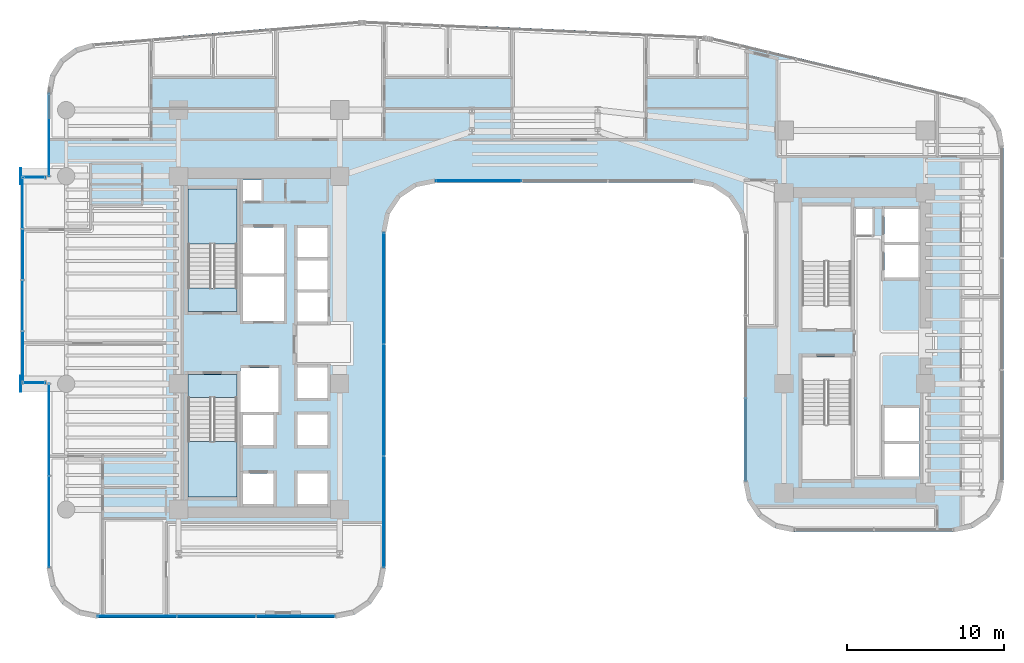
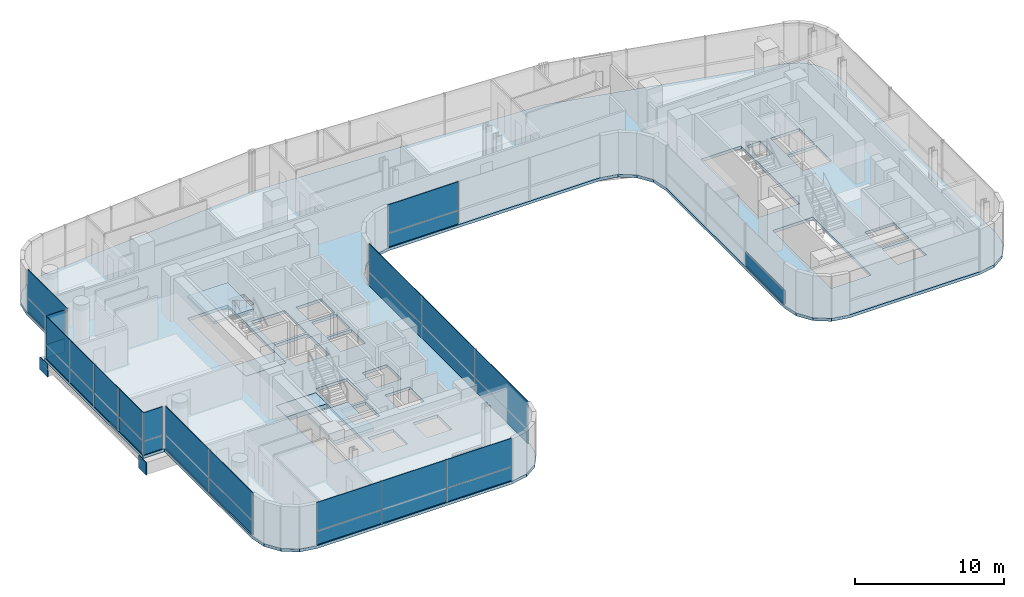
# One storey, part 24 of 35: 30 plates, 5 slabs, 11 elements without a shape of their own.
"""IFC4 building model written with IfcOpenShell, lengths in metres."""

from ifc_helpers import new_model, si_unit, direction, frame, origin, origin_2d, place, context, subcontext, project, spatial, polyline, rectangle, outline, extrude, source, transform, mapped, material, layer, layer_set, type_object, element, aggregate, save


model = new_model("IFC4")

# Units and contexts
model_context = context("Model", 3, precision=1e-05, world=origin(), true_north=direction((0.0, 1.0)))
body_context = subcontext(model_context, "Body", "Model", "MODEL_VIEW")
ifc_project = project(units=[si_unit("LENGTHUNIT", "METRE"), si_unit("AREAUNIT", "SQUARE_METRE"), si_unit("VOLUMEUNIT", "CUBIC_METRE"), si_unit("PLANEANGLEUNIT", "RADIAN"), si_unit("MASSUNIT", "GRAM", prefix="KILO")], contexts=[model_context])

# Site, building, storey
site_placement = place(None, origin())
site = spatial("IfcSite", under=ifc_project, at=site_placement, CompositionType="ELEMENT")
building_placement = place(site_placement, origin())
building = spatial("IfcBuilding", under=site, at=building_placement, Name="Valdorenza Pilgrim Sanctuary Tower", CompositionType="ELEMENT")
storey_placement = place(building_placement, frame((0.0, 0.0, 105.699951171875)))
storey = spatial("IfcBuildingStorey", under=building, at=storey_placement, Name="L26", CompositionType="ELEMENT", Elevation=105.699951171875)

# Slab
ifc_material_1 = material(Name="Concrete C40/50", Category="concrete")
ifc_layer_1 = layer(ifc_material_1, 0.239990234375, Name="Concrete C40/50")
ifc_layer_set_1 = layer_set([ifc_layer_1], Name="Concrete C40/50")
slab_type_1 = type_object("IfcSlabType", Name="SLAB-FLR-220", PredefinedType="FLOOR", material=ifc_layer_set_1)
slab_1_placement = place(storey_placement, frame((0.0, 0.0, -0.239990234375)))
element("IfcSlab", 1, at=slab_1_placement, inside=storey, type_object=slab_type_1, Name="L26 Structural Floor Slab 1", PredefinedType="FLOOR", context=body_context, shape_type="SweptSolid", body=[
    extrude(outline(polyline([(-30.78173828125, 17.022216796875), (-30.156494140625, 18.025390625), (-29.2099609375, 18.733154296875), (-28.071044921875, 19.049072265625), (-11.2080078125, 20.482421875), (-11.10400390625, 20.489501953125), (-10.895751953125, 20.49365234375), (10.6962890625, 19.513916015625), (10.847412109375, 19.50341796875), (10.998046875, 19.485595703125), (11.147705078125, 19.4609375), (11.2958984375, 19.42919921875), (27.344970703125, 15.587646484375), (28.323974609375, 15.17138671875), (29.1123046875, 14.45751953125), (29.623291015625, 13.5244140625), (29.800048828125, 12.4755859375), (29.800048828125, -8.800048828125), (29.556396484375, -10.024658203125), (28.86279296875, -11.062744140625), (27.82470703125, -11.75634765625), (26.60009765625, -12.0), (16.5, -12.0), (15.275390625, -11.75634765625), (14.2373046875, -11.062744140625), (13.543701171875, -10.024658203125), (13.300048828125, -8.800048828125), (13.300048828125, 7.0), (13.056396484375, 8.224609375), (12.36279296875, 9.2626953125), (11.32470703125, 9.956298828125), (10.10009765625, 10.199951171875), (-6.300048828125, 10.199951171875), (-7.524658203125, 9.956298828125), (-8.562744140625, 9.2626953125), (-9.25634765625, 8.224609375), (-9.5, 7.0), (-9.5, -14.300048828125), (-9.74365234375, -15.524658203125), (-10.437255859375, -16.562744140625), (-11.475341796875, -17.25634765625), (-12.699951171875, -17.5), (-27.800048828125, -17.5), (-29.024658203125, -17.25634765625), (-30.062744140625, -16.562744140625), (-30.75634765625, -15.524658203125), (-31.0, -14.300048828125), (-31.0, -2.60009765625), (-32.64990234375, -2.60009765625), (-32.64990234375, 10.60009765625), (-31.0, 10.60009765625), (-31.0, 15.860595703125), (-30.78173828125, 17.022216796875)]), holes=[polyline([(-16.60009765625, -10.25), (-16.60009765625, -8.300048828125), (-18.550048828125, -8.300048828125), (-18.550048828125, -10.25), (-16.60009765625, -10.25)]), polyline([(-22.050048828125, -9.800048828125), (-18.93994140625, -9.800048828125), (-18.93994140625, -3.485107421875), (-18.93994140625, -2.0), (-22.050048828125, -2.0), (-22.050048828125, -3.485107421875), (-22.050048828125, -9.800048828125)]), polyline([(-18.550048828125, -6.5), (-16.60009765625, -6.5), (-16.60009765625, -4.60009765625), (-18.550048828125, -4.60009765625), (-18.550048828125, -6.5)]), polyline([(-13.179931640625, -6.5), (-13.179931640625, -4.550048828125), (-15.10009765625, -4.550048828125), (-15.10009765625, -6.5), (-13.179931640625, -6.5)]), polyline([(-18.719970703125, -4.39990234375), (-16.300048828125, -4.39990234375), (-16.300048828125, -1.60009765625), (-18.719970703125, -1.60009765625), (-18.719970703125, -4.39990234375)]), polyline([(-13.179931640625, -3.5), (-13.179931640625, -1.550048828125), (-15.10009765625, -1.550048828125), (-15.10009765625, -3.5), (-13.179931640625, -3.5)]), polyline([(-22.050048828125, 2.0), (-18.93994140625, 2.0), (-18.93994140625, 3.485107421875), (-18.93994140625, 9.800048828125), (-22.050048828125, 9.800048828125), (-22.050048828125, 3.485107421875), (-22.050048828125, 2.0)]), polyline([(-18.550048828125, 1.39990234375), (-15.949951171875, 1.39990234375), (-15.949951171875, 4.22509765625), (-18.550048828125, 4.22509765625), (-18.550048828125, 1.39990234375)]), polyline([(-15.949951171875, 4.425048828125), (-15.949951171875, 7.35009765625), (-18.550048828125, 7.35009765625), (-18.550048828125, 4.425048828125), (-15.949951171875, 4.425048828125)]), polyline([(-15.10009765625, 5.449951171875), (-13.179931640625, 5.449951171875), (-13.179931640625, 7.300048828125), (-15.10009765625, 7.300048828125), (-15.10009765625, 5.449951171875)]), polyline([(-17.360107421875, 9.030029296875), (-17.360107421875, 10.35009765625), (-18.570068359375, 10.35009765625), (-18.570068359375, 9.030029296875), (-17.360107421875, 9.030029296875)]), polyline([(-15.10009765625, -10.25), (-13.179931640625, -10.25), (-13.179931640625, -8.300048828125), (-15.10009765625, -8.300048828125), (-15.10009765625, -10.25)]), polyline([(22.25, -8.5), (24.47998046875, -8.5), (24.47998046875, -6.425048828125), (22.25, -6.425048828125), (22.25, -8.5)]), polyline([(17.0, -2.385009765625), (17.0, -8.699951171875), (20.110107421875, -8.699951171875), (20.110107421875, -2.385009765625), (20.110107421875, -0.89990234375), (17.0, -0.89990234375), (17.0, -2.385009765625)]), polyline([(22.25, -6.22509765625), (24.47998046875, -6.22509765625), (24.47998046875, -4.14990234375), (22.25, -4.14990234375), (22.25, -6.22509765625)]), polyline([(17.0, 0.89990234375), (20.110107421875, 0.89990234375), (20.110107421875, 2.385009765625), (20.110107421875, 8.699951171875), (17.0, 8.699951171875), (17.0, 2.385009765625), (17.0, 0.89990234375)]), polyline([(-15.10009765625, 1.35009765625), (-13.179931640625, 1.35009765625), (-13.179931640625, 3.199951171875), (-15.10009765625, 3.199951171875), (-15.10009765625, 1.35009765625)]), polyline([(-15.10009765625, 3.39990234375), (-13.179931640625, 3.39990234375), (-13.179931640625, 5.25), (-15.10009765625, 5.25), (-15.10009765625, 3.39990234375)]), polyline([(22.25, 4.14990234375), (24.47998046875, 4.14990234375), (24.47998046875, 6.22509765625), (22.25, 6.22509765625), (22.25, 4.14990234375)]), polyline([(22.25, 6.425048828125), (24.47998046875, 6.425048828125), (24.47998046875, 8.5), (22.25, 8.5), (22.25, 6.425048828125)]), polyline([(20.409912109375, 6.860107421875), (21.489990234375, 6.860107421875), (21.489990234375, 8.52001953125), (20.409912109375, 8.52001953125), (20.409912109375, 6.860107421875)])]), origin(), (0.0, 0.0, 1.0), 0.239990234375),
])

# Stair, slab
stair_type = type_object("IfcStairType", Name="STR-DOG-CORE", PredefinedType="HALF_TURN_STAIR", material=ifc_material_1)
stair_1_placement = place(storey_placement, origin())
stair_1 = element("IfcStair", 2, at=stair_1_placement, inside=storey, type_object=stair_type, Name="L26 ST-A1", PredefinedType="HALF_TURN_STAIR")
ifc_layer_2 = layer(ifc_material_1, 0.199951171875, Name="Concrete C40/50")
ifc_layer_set_2 = layer_set([ifc_layer_2], Name="Concrete C40/50")
slab_type_2 = type_object("IfcSlabType", Name="SLAB-STL-200", PredefinedType="LANDING", material=ifc_layer_set_2)
slab_2_placement = place(storey_placement, frame((0.0, 0.0, 1.650146484375)))
slab_2 = element("IfcSlab", 3, at=slab_2_placement, type_object=slab_type_2, Name="ST-A1 landing 1", PredefinedType="LANDING", context=body_context, shape_type="SweptSolid", body=[
    extrude(outline(polyline([(-18.93994140625, 6.280029296875), (-18.93994140625, 9.800048828125), (-22.050048828125, 9.800048828125), (-22.050048828125, 6.280029296875), (-18.93994140625, 6.280029296875)])), origin(), (0.0, 0.0, 1.0), 0.199951171875),
])
aggregate(stair_1, [slab_2])

stair_2_placement = place(storey_placement, origin())
stair_2 = element("IfcStair", 4, at=stair_2_placement, inside=storey, type_object=stair_type, Name="L26 ST-A2", PredefinedType="HALF_TURN_STAIR")
slab_3_placement = place(storey_placement, frame((0.0, 0.0, 1.650146484375)))
slab_3 = element("IfcSlab", 5, at=slab_3_placement, type_object=slab_type_2, Name="ST-A2 landing 1", PredefinedType="LANDING", context=body_context, shape_type="SweptSolid", body=[
    extrude(outline(polyline([(-22.050048828125, -6.280029296875), (-22.050048828125, -9.800048828125), (-18.93994140625, -9.800048828125), (-18.93994140625, -6.280029296875), (-22.050048828125, -6.280029296875)])), origin(), (0.0, 0.0, 1.0), 0.199951171875),
])
aggregate(stair_2, [slab_3])

# Slabs
ifc_material_2 = material(Name="Concrete C50/60", Category="concrete")
ifc_layer_3 = layer(ifc_material_2, 0.39990234375, Name="Concrete C50/60")
ifc_layer_set_3 = layer_set([ifc_layer_3], Name="Concrete C50/60")
slab_type_3 = type_object("IfcSlabType", Name="SLAB-TRF-400", PredefinedType="FLOOR", material=ifc_layer_set_3)
slab_4_placement = place(storey_placement, frame((0.0, 0.0, -0.35986328125)))
element("IfcSlab", 6, at=slab_4_placement, inside=storey, type_object=slab_type_3, Name="L26 ST-A1 Structural Stair Landing Bearing Slab", PredefinedType="FLOOR", context=body_context, shape_type="SweptSolid", body=[
    extrude(outline(polyline([(-22.050048828125, 2.0), (-18.93994140625, 2.0), (-18.93994140625, 3.485107421875), (-22.050048828125, 3.485107421875), (-22.050048828125, 2.0)])), origin(), (0.0, 0.0, 1.0), 0.35986328125),
])
slab_5_placement = place(storey_placement, frame((0.0, 0.0, -0.35986328125)))
element("IfcSlab", 7, at=slab_5_placement, inside=storey, type_object=slab_type_3, Name="L26 ST-A2 Structural Stair Landing Bearing Slab", PredefinedType="FLOOR", context=body_context, shape_type="SweptSolid", body=[
    extrude(outline(polyline([(-22.050048828125, -3.485107421875), (-18.93994140625, -3.485107421875), (-18.93994140625, -2.0), (-22.050048828125, -2.0), (-22.050048828125, -3.485107421875)])), origin(), (0.0, 0.0, 1.0), 0.35986328125),
])

# Plates
ifc_material_3 = material(Name="Steel ASTM A572 Grade 42", Category="steel")
ifc_layer_4 = layer(ifc_material_3, 0.06005859375, Name="Steel ASTM A572 Grade 42")
ifc_layer_set_4 = layer_set([ifc_layer_4], Name="Steel ASTM A572 Grade 42")
plate_type_1 = type_object("IfcPlateType", Name="PLT-CAP-60", PredefinedType="SHEET", material=ifc_layer_set_4)
shared_shape_1 = source(origin(), body_context, "Body", "SweptSolid", [
    extrude(rectangle(XDim=0.06005859375, YDim=1.0400390625, at=origin_2d()), origin(), (0.0, 0.0, 1.0), 1.0400390625),
])
for number, where, z_axis, x_axis, name in (
    (8, (-32.679931640625, 10.60009765625, -1.260009765625), (0.0, 0.0, 1.0), (1.0, 0.0, 0.0), "L26 BOX-WA-L26 Cantilever Tip End Cap N"),
    (9, (-32.679931640625, -2.60009765625, -1.260009765625), (0.0, 0.0, 1.0), (1.0, 0.0, 0.0), "L26 BOX-WA-L26 Cantilever Tip End Cap S"),
):
    element("IfcPlate", number, at=place(storey_placement, frame(where, z_axis=z_axis, x_axis=x_axis)), inside=storey, type_object=plate_type_1, Name=name, PredefinedType="SHEET", context=body_context, shape_type="MappedRepresentation", body=[
        mapped(shared_shape_1, transform((0.0, 0.0, 0.0), x_axis=(1.0, 0.0, 0.0), y_axis=(0.0, 1.0, 0.0), z_axis=(0.0, 0.0, 1.0), scale=1.0)),
    ])

# Curtain wall, plates
ifc_material_4 = material(Name="Curtain-wall IGU glazing", Category="glass")
curtain_wall_type_1 = type_object("IfcCurtainWallType", Name="CW-SYS-02", PredefinedType="NOTDEFINED", material=ifc_material_4)
curtain_wall_1_placement = place(storey_placement, origin())
curtain_wall_1 = element("IfcCurtainWall", 10, at=curtain_wall_1_placement, inside=storey, type_object=curtain_wall_type_1, Name="L26 Curtain Wall CW-L26-1-36", PredefinedType="NOTDEFINED")
ifc_material_5 = material(Name="Honed travertine limestone", Category="masonry")
ifc_layer_5 = layer(ifc_material_5, 0.050048828125, Name="Honed travertine limestone")
ifc_layer_set_5 = layer_set([ifc_layer_5], Name="Honed travertine limestone")
plate_type_2 = type_object("IfcPlateType", Name="CW-SPN-TRV", PredefinedType="USERDEFINED", material=ifc_layer_set_5)
shared_shape_2 = source(origin(), body_context, "Body", "SweptSolid", [
    extrude(rectangle(XDim=5.453857421875, YDim=0.06005859375, at=origin_2d()), origin(), (0.0, 0.0, 1.0), 1.10009765625),
])
plate_1_placement = place(storey_placement, frame((-3.573974609375, 10.31005859375, 0.010009765625), z_axis=(0.0, 0.0, 1.0), x_axis=(-1.0, 0.0, 0.0)))
plate_1 = element("IfcPlate", 11, at=plate_1_placement, type_object=plate_type_2, Name="CW-L26-1-36 Travertine Spandrel 3", ObjectType="SPANDREL", PredefinedType="USERDEFINED", context=body_context, shape_type="MappedRepresentation", body=[
    mapped(shared_shape_2, transform((0.0, 0.0, 0.0), x_axis=(1.0, 0.0, 0.0), y_axis=(0.0, 1.0, 0.0), z_axis=(0.0, 0.0, 1.0), scale=1.0)),
])
ifc_material_6 = material(Name="Ceramic-fritted low-E IGU glazing", Category="glass")
ifc_layer_6 = layer(ifc_material_6, 0.035888671875, Name="Ceramic-fritted low-E IGU glazing")
ifc_layer_set_6 = layer_set([ifc_layer_6], Name="Ceramic-fritted low-E IGU glazing")
plate_type_3 = type_object("IfcPlateType", Name="CW-GLZ-IGU", PredefinedType="USERDEFINED", material=ifc_layer_set_6)
shared_shape_3 = source(origin(), body_context, "Body", "SweptSolid", [
    extrude(rectangle(XDim=5.453857421875, YDim=0.050048828125, at=origin_2d()), origin(), (0.0, 0.0, 1.0), 2.320068359375),
])
plate_2_placement = place(storey_placement, frame((-3.573974609375, 10.31005859375, 1.1298828125), z_axis=(0.0, 0.0, 1.0), x_axis=(-1.0, 0.0, 0.0)))
plate_2 = element("IfcPlate", 12, at=plate_2_placement, type_object=plate_type_3, Name="CW-L26-1-36 Facade Panel 3", ObjectType="GLAZING", PredefinedType="USERDEFINED", context=body_context, shape_type="MappedRepresentation", body=[
    mapped(shared_shape_3, transform((0.0, 0.0, 0.0), x_axis=(1.0, 0.0, 0.0), y_axis=(0.0, 1.0, 0.0), z_axis=(0.0, 0.0, 1.0), scale=1.0)),
])
aggregate(curtain_wall_1, [plate_1, plate_2])

# Curtain wall, plate
curtain_wall_2_placement = place(storey_placement, origin())
curtain_wall_2 = element("IfcCurtainWall", 13, at=curtain_wall_2_placement, inside=storey, type_object=curtain_wall_type_1, Name="L26 Curtain Wall CW-L26-BOX-WA-L26-S", PredefinedType="NOTDEFINED")
shared_shape_4 = source(origin(), body_context, "Body", "SweptSolid", [
    extrude(rectangle(XDim=1.43994140625, YDim=0.06005859375, at=origin_2d()), origin(), (0.0, 0.0, 1.0), 1.10009765625),
])
plate_3_placement = place(storey_placement, frame((-31.840087890625, -2.52001953125, 0.010009765625), z_axis=(0.0, 0.0, 1.0), x_axis=(-1.0, 0.0, 0.0)))
plate_3 = element("IfcPlate", 14, at=plate_3_placement, type_object=plate_type_2, Name="CW-L26-BOX-WA-L26-S Travertine Spandrel 1", ObjectType="SPANDREL", PredefinedType="USERDEFINED", context=body_context, shape_type="MappedRepresentation", body=[
    mapped(shared_shape_4, transform((0.0, 0.0, 0.0), x_axis=(1.0, 0.0, 0.0), y_axis=(0.0, 1.0, 0.0), z_axis=(0.0, 0.0, 1.0), scale=1.0)),
])

curtain_wall_3_placement = place(storey_placement, origin())
curtain_wall_3 = element("IfcCurtainWall", 15, at=curtain_wall_3_placement, inside=storey, type_object=curtain_wall_type_1, Name="L26 Curtain Wall CW-L26-BOX-WA-L26-N", PredefinedType="NOTDEFINED")
plate_4_placement = place(storey_placement, frame((-31.840087890625, 10.52001953125, 0.010009765625), z_axis=(0.0, 0.0, 1.0), x_axis=(1.0, 0.0, 0.0)))
plate_4 = element("IfcPlate", 16, at=plate_4_placement, type_object=plate_type_2, Name="CW-L26-BOX-WA-L26-N Travertine Spandrel 1", ObjectType="SPANDREL", PredefinedType="USERDEFINED", context=body_context, shape_type="MappedRepresentation", body=[
    mapped(shared_shape_4, transform((0.0, 0.0, 0.0), x_axis=(1.0, 0.0, 0.0), y_axis=(0.0, 1.0, 0.0), z_axis=(0.0, 0.0, 1.0), scale=1.0)),
])

# Plate
shared_shape_5 = source(origin(), body_context, "Body", "SweptSolid", [
    extrude(rectangle(XDim=1.43994140625, YDim=0.050048828125, at=origin_2d()), origin(), (0.0, 0.0, 1.0), 2.320068359375),
])
plate_5_placement = place(storey_placement, frame((-31.840087890625, -2.52001953125, 1.1298828125), z_axis=(0.0, 0.0, 1.0), x_axis=(-1.0, 0.0, 0.0)))
plate_5 = element("IfcPlate", 17, at=plate_5_placement, type_object=plate_type_3, Name="CW-L26-BOX-WA-L26-S Facade Panel 1", ObjectType="GLAZING", PredefinedType="USERDEFINED", context=body_context, shape_type="MappedRepresentation", body=[
    mapped(shared_shape_5, transform((0.0, 0.0, 0.0), x_axis=(1.0, 0.0, 0.0), y_axis=(0.0, 1.0, 0.0), z_axis=(0.0, 0.0, 1.0), scale=1.0)),
])

aggregate(curtain_wall_2, [plate_3, plate_5])

plate_6_placement = place(storey_placement, frame((-31.840087890625, 10.52001953125, 1.1298828125), z_axis=(0.0, 0.0, 1.0), x_axis=(1.0, 0.0, 0.0)))
plate_6 = element("IfcPlate", 18, at=plate_6_placement, type_object=plate_type_3, Name="CW-L26-BOX-WA-L26-N Facade Panel 1", ObjectType="GLAZING", PredefinedType="USERDEFINED", context=body_context, shape_type="MappedRepresentation", body=[
    mapped(shared_shape_5, transform((0.0, 0.0, 0.0), x_axis=(1.0, 0.0, 0.0), y_axis=(0.0, 1.0, 0.0), z_axis=(0.0, 0.0, 1.0), scale=1.0)),
])

aggregate(curtain_wall_3, [plate_4, plate_6])

# Curtain wall, plates
curtain_wall_4_placement = place(storey_placement, origin())
curtain_wall_4 = element("IfcCurtainWall", 19, at=curtain_wall_4_placement, inside=storey, type_object=curtain_wall_type_1, Name="L26 Curtain Wall CW-L26-BOX-WA-L26-F", PredefinedType="NOTDEFINED")
shared_shape_6 = source(origin(), body_context, "Body", "SweptSolid", [
    extrude(rectangle(XDim=3.239990234375, YDim=0.06005859375, at=origin_2d()), origin(), (0.0, 0.0, 1.0), 1.10009765625),
])
plate_7_placement = place(storey_placement, frame((-32.570068359375, -0.889892578125, 0.010009765625), z_axis=(0.0, 0.0, 1.0), x_axis=(0.0, 1.0, 0.0)))
plate_7 = element("IfcPlate", 20, at=plate_7_placement, type_object=plate_type_2, Name="CW-L26-BOX-WA-L26-F Travertine Spandrel 1", ObjectType="SPANDREL", PredefinedType="USERDEFINED", context=body_context, shape_type="MappedRepresentation", body=[
    mapped(shared_shape_6, transform((0.0, 0.0, 0.0), x_axis=(1.0, 0.0, 0.0), y_axis=(0.0, 1.0, 0.0), z_axis=(0.0, 0.0, 1.0), scale=1.0)),
])
plate_8_placement = place(storey_placement, frame((-32.570068359375, 5.6298828125, 0.010009765625), z_axis=(0.0, 0.0, 1.0), x_axis=(0.0, 1.0, 0.0)))
plate_8 = element("IfcPlate", 21, at=plate_8_placement, type_object=plate_type_2, Name="CW-L26-BOX-WA-L26-F Travertine Spandrel 3", ObjectType="SPANDREL", PredefinedType="USERDEFINED", context=body_context, shape_type="MappedRepresentation", body=[
    mapped(shared_shape_6, transform((0.0, 0.0, 0.0), x_axis=(1.0, 0.0, 0.0), y_axis=(0.0, 1.0, 0.0), z_axis=(0.0, 0.0, 1.0), scale=1.0)),
])
shared_shape_7 = source(origin(), body_context, "Body", "SweptSolid", [
    extrude(rectangle(XDim=3.239990234375, YDim=0.050048828125, at=origin_2d()), origin(), (0.0, 0.0, 1.0), 2.320068359375),
])
plate_9_placement = place(storey_placement, frame((-32.570068359375, -0.889892578125, 1.1298828125), z_axis=(0.0, 0.0, 1.0), x_axis=(0.0, 1.0, 0.0)))
plate_9 = element("IfcPlate", 22, at=plate_9_placement, type_object=plate_type_3, Name="CW-L26-BOX-WA-L26-F Facade Panel 1", ObjectType="GLAZING", PredefinedType="USERDEFINED", context=body_context, shape_type="MappedRepresentation", body=[
    mapped(shared_shape_7, transform((0.0, 0.0, 0.0), x_axis=(1.0, 0.0, 0.0), y_axis=(0.0, 1.0, 0.0), z_axis=(0.0, 0.0, 1.0), scale=1.0)),
])
plate_10_placement = place(storey_placement, frame((-32.570068359375, 5.6298828125, 1.1298828125), z_axis=(0.0, 0.0, 1.0), x_axis=(0.0, 1.0, 0.0)))
plate_10 = element("IfcPlate", 23, at=plate_10_placement, type_object=plate_type_3, Name="CW-L26-BOX-WA-L26-F Facade Panel 3", ObjectType="GLAZING", PredefinedType="USERDEFINED", context=body_context, shape_type="MappedRepresentation", body=[
    mapped(shared_shape_7, transform((0.0, 0.0, 0.0), x_axis=(1.0, 0.0, 0.0), y_axis=(0.0, 1.0, 0.0), z_axis=(0.0, 0.0, 1.0), scale=1.0)),
])
shared_shape_8 = source(origin(), body_context, "Body", "SweptSolid", [
    extrude(rectangle(XDim=3.239990234375, YDim=0.050048828125, at=origin_2d()), origin(), (0.0, 0.0, 1.0), 3.43994140625),
])
plate_11_placement = place(storey_placement, frame((-32.570068359375, 2.3701171875, 0.010009765625), z_axis=(0.0, 0.0, 1.0), x_axis=(0.0, 1.0, 0.0)))
plate_11 = element("IfcPlate", 24, at=plate_11_placement, type_object=plate_type_3, Name="CW-L26-BOX-WA-L26-F Full-Height Facade Panel 2", ObjectType="GLAZING", PredefinedType="USERDEFINED", context=body_context, shape_type="MappedRepresentation", body=[
    mapped(shared_shape_8, transform((0.0, 0.0, 0.0), x_axis=(1.0, 0.0, 0.0), y_axis=(0.0, 1.0, 0.0), z_axis=(0.0, 0.0, 1.0), scale=1.0)),
])
plate_12_placement = place(storey_placement, frame((-32.570068359375, 8.889892578125, 0.010009765625), z_axis=(0.0, 0.0, 1.0), x_axis=(0.0, 1.0, 0.0)))
plate_12 = element("IfcPlate", 25, at=plate_12_placement, type_object=plate_type_3, Name="CW-L26-BOX-WA-L26-F Full-Height Facade Panel 4", ObjectType="GLAZING", PredefinedType="USERDEFINED", context=body_context, shape_type="MappedRepresentation", body=[
    mapped(shared_shape_8, transform((0.0, 0.0, 0.0), x_axis=(1.0, 0.0, 0.0), y_axis=(0.0, 1.0, 0.0), z_axis=(0.0, 0.0, 1.0), scale=1.0)),
])
aggregate(curtain_wall_4, [plate_7, plate_9, plate_11, plate_8, plate_10, plate_12])

# Curtain wall, plate
curtain_wall_type_2 = type_object("IfcCurtainWallType", Name="CW-SYS-03", PredefinedType="NOTDEFINED", material=ifc_material_4)
curtain_wall_5_placement = place(storey_placement, origin())
curtain_wall_5 = element("IfcCurtainWall", 26, at=curtain_wall_5_placement, inside=storey, type_object=curtain_wall_type_2, Name="L26 Curtain Wall CW-L26-1-31", PredefinedType="NOTDEFINED")
shared_shape_9 = source(origin(), body_context, "Body", "SweptSolid", [
    extrude(rectangle(XDim=5.24658203125, YDim=0.06005859375, at=origin_2d()), origin(), (0.0, 0.0, 1.0), 1.10009765625),
])
plate_13_placement = place(storey_placement, frame((13.409912109375, -6.156005859375, 0.010009765625), z_axis=(0.0, 0.0, 1.0), x_axis=(0.0, 1.0, 0.0)))
plate_13 = element("IfcPlate", 27, at=plate_13_placement, type_object=plate_type_2, Name="CW-L26-1-31 Travertine Spandrel 1", ObjectType="SPANDREL", PredefinedType="USERDEFINED", context=body_context, shape_type="MappedRepresentation", body=[
    mapped(shared_shape_9, transform((0.0, 0.0, 0.0), x_axis=(1.0, 0.0, 0.0), y_axis=(0.0, 1.0, 0.0), z_axis=(0.0, 0.0, 1.0), scale=1.0)),
])
aggregate(curtain_wall_5, [plate_13])

# Curtain wall, plates
curtain_wall_6_placement = place(storey_placement, origin())
curtain_wall_6 = element("IfcCurtainWall", 28, at=curtain_wall_6_placement, inside=storey, type_object=curtain_wall_type_1, Name="L26 Curtain Wall CW-L26-1-41", PredefinedType="NOTDEFINED")
shared_shape_10 = source(origin(), body_context, "Body", "SweptSolid", [
    extrude(rectangle(XDim=7.080078125, YDim=0.06005859375, at=origin_2d()), origin(), (0.0, 0.0, 1.0), 1.10009765625),
])
plate_14_placement = place(storey_placement, frame((-9.610107421875, 3.460693359375, 0.010009765625), z_axis=(0.0, 0.0, 1.0), x_axis=(0.0, -1.0, 0.0)))
plate_14 = element("IfcPlate", 29, at=plate_14_placement, type_object=plate_type_2, Name="CW-L26-1-41 Travertine Spandrel 1", ObjectType="SPANDREL", PredefinedType="USERDEFINED", context=body_context, shape_type="MappedRepresentation", body=[
    mapped(shared_shape_10, transform((0.0, 0.0, 0.0), x_axis=(1.0, 0.0, 0.0), y_axis=(0.0, 1.0, 0.0), z_axis=(0.0, 0.0, 1.0), scale=1.0)),
])
plate_15_placement = place(storey_placement, frame((-9.610107421875, -10.7392578125, 0.010009765625), z_axis=(0.0, 0.0, 1.0), x_axis=(0.0, -1.0, 0.0)))
plate_15 = element("IfcPlate", 30, at=plate_15_placement, type_object=plate_type_2, Name="CW-L26-1-41 Travertine Spandrel 3", ObjectType="SPANDREL", PredefinedType="USERDEFINED", context=body_context, shape_type="MappedRepresentation", body=[
    mapped(shared_shape_10, transform((0.0, 0.0, 0.0), x_axis=(1.0, 0.0, 0.0), y_axis=(0.0, 1.0, 0.0), z_axis=(0.0, 0.0, 1.0), scale=1.0)),
])

curtain_wall_7_placement = place(storey_placement, origin())
curtain_wall_7 = element("IfcCurtainWall", 31, at=curtain_wall_7_placement, inside=storey, type_object=curtain_wall_type_1, Name="L26 Curtain Wall CW-L26-1-1S1", PredefinedType="NOTDEFINED")
shared_shape_11 = source(origin(), body_context, "Body", "SweptSolid", [
    extrude(rectangle(XDim=5.82470703125, YDim=0.06005859375, at=origin_2d()), origin(), (0.0, 0.0, 1.0), 1.10009765625),
])
plate_16_placement = place(storey_placement, frame((-30.889892578125, -11.366943359375, 0.010009765625), z_axis=(0.0, 0.0, 1.0), x_axis=(0.0, 1.0, 0.0)))
plate_16 = element("IfcPlate", 32, at=plate_16_placement, type_object=plate_type_2, Name="CW-L26-1-1S1 Travertine Spandrel 1", ObjectType="SPANDREL", PredefinedType="USERDEFINED", context=body_context, shape_type="MappedRepresentation", body=[
    mapped(shared_shape_11, transform((0.0, 0.0, 0.0), x_axis=(1.0, 0.0, 0.0), y_axis=(0.0, 1.0, 0.0), z_axis=(0.0, 0.0, 1.0), scale=1.0)),
])
shared_shape_12 = source(origin(), body_context, "Body", "SweptSolid", [
    extrude(rectangle(XDim=5.82470703125, YDim=0.050048828125, at=origin_2d()), origin(), (0.0, 0.0, 1.0), 2.320068359375),
])
plate_17_placement = place(storey_placement, frame((-30.889892578125, -11.366943359375, 1.1298828125), z_axis=(0.0, 0.0, 1.0), x_axis=(0.0, 1.0, 0.0)))
plate_17 = element("IfcPlate", 33, at=plate_17_placement, type_object=plate_type_3, Name="CW-L26-1-1S1 Facade Panel 1", ObjectType="GLAZING", PredefinedType="USERDEFINED", context=body_context, shape_type="MappedRepresentation", body=[
    mapped(shared_shape_12, transform((0.0, 0.0, 0.0), x_axis=(1.0, 0.0, 0.0), y_axis=(0.0, 1.0, 0.0), z_axis=(0.0, 0.0, 1.0), scale=1.0)),
])
shared_shape_13 = source(origin(), body_context, "Body", "SweptSolid", [
    extrude(rectangle(XDim=5.82470703125, YDim=0.050048828125, at=origin_2d()), origin(), (0.0, 0.0, 1.0), 3.43994140625),
])
plate_18_placement = place(storey_placement, frame((-30.889892578125, -5.522216796875, 0.010009765625), z_axis=(0.0, 0.0, 1.0), x_axis=(0.0, 1.0, 0.0)))
plate_18 = element("IfcPlate", 34, at=plate_18_placement, type_object=plate_type_3, Name="CW-L26-1-1S1 Full-Height Facade Panel 2", ObjectType="GLAZING", PredefinedType="USERDEFINED", context=body_context, shape_type="MappedRepresentation", body=[
    mapped(shared_shape_13, transform((0.0, 0.0, 0.0), x_axis=(1.0, 0.0, 0.0), y_axis=(0.0, 1.0, 0.0), z_axis=(0.0, 0.0, 1.0), scale=1.0)),
])
aggregate(curtain_wall_7, [plate_16, plate_17, plate_18])

curtain_wall_8_placement = place(storey_placement, origin())
curtain_wall_8 = element("IfcCurtainWall", 35, at=curtain_wall_8_placement, inside=storey, type_object=curtain_wall_type_1, Name="L26 Curtain Wall CW-L26-1-1S2", PredefinedType="NOTDEFINED")
shared_shape_14 = source(origin(), body_context, "Body", "SweptSolid", [
    extrude(rectangle(XDim=5.230224609375, YDim=0.06005859375, at=origin_2d()), origin(), (0.0, 0.0, 1.0), 1.10009765625),
])
plate_19_placement = place(storey_placement, frame((-30.889892578125, 13.22509765625, 0.010009765625), z_axis=(0.0, 0.0, 1.0), x_axis=(0.0, 1.0, 0.0)))
plate_19 = element("IfcPlate", 36, at=plate_19_placement, type_object=plate_type_2, Name="CW-L26-1-1S2 Travertine Spandrel 1", ObjectType="SPANDREL", PredefinedType="USERDEFINED", context=body_context, shape_type="MappedRepresentation", body=[
    mapped(shared_shape_14, transform((0.0, 0.0, 0.0), x_axis=(1.0, 0.0, 0.0), y_axis=(0.0, 1.0, 0.0), z_axis=(0.0, 0.0, 1.0), scale=1.0)),
])
shared_shape_15 = source(origin(), body_context, "Body", "SweptSolid", [
    extrude(rectangle(XDim=5.230224609375, YDim=0.050048828125, at=origin_2d()), origin(), (0.0, 0.0, 1.0), 2.320068359375),
])
plate_20_placement = place(storey_placement, frame((-30.889892578125, 13.22509765625, 1.1298828125), z_axis=(0.0, 0.0, 1.0), x_axis=(0.0, 1.0, 0.0)))
plate_20 = element("IfcPlate", 37, at=plate_20_placement, type_object=plate_type_3, Name="CW-L26-1-1S2 Facade Panel 1", ObjectType="GLAZING", PredefinedType="USERDEFINED", context=body_context, shape_type="MappedRepresentation", body=[
    mapped(shared_shape_15, transform((0.0, 0.0, 0.0), x_axis=(1.0, 0.0, 0.0), y_axis=(0.0, 1.0, 0.0), z_axis=(0.0, 0.0, 1.0), scale=1.0)),
])
aggregate(curtain_wall_8, [plate_19, plate_20])

# Plate
shared_shape_16 = source(origin(), body_context, "Body", "SweptSolid", [
    extrude(rectangle(XDim=7.080078125, YDim=0.050048828125, at=origin_2d()), origin(), (0.0, 0.0, 1.0), 2.320068359375),
])
plate_21_placement = place(storey_placement, frame((-9.610107421875, 3.460693359375, 1.1298828125), z_axis=(0.0, 0.0, 1.0), x_axis=(0.0, -1.0, 0.0)))
plate_21 = element("IfcPlate", 38, at=plate_21_placement, type_object=plate_type_3, Name="CW-L26-1-41 Facade Panel 1", ObjectType="GLAZING", PredefinedType="USERDEFINED", context=body_context, shape_type="MappedRepresentation", body=[
    mapped(shared_shape_16, transform((0.0, 0.0, 0.0), x_axis=(1.0, 0.0, 0.0), y_axis=(0.0, 1.0, 0.0), z_axis=(0.0, 0.0, 1.0), scale=1.0)),
])

plate_22_placement = place(storey_placement, frame((-9.610107421875, -10.7392578125, 1.1298828125), z_axis=(0.0, 0.0, 1.0), x_axis=(0.0, -1.0, 0.0)))
plate_22 = element("IfcPlate", 39, at=plate_22_placement, type_object=plate_type_3, Name="CW-L26-1-41 Facade Panel 3", ObjectType="GLAZING", PredefinedType="USERDEFINED", context=body_context, shape_type="MappedRepresentation", body=[
    mapped(shared_shape_16, transform((0.0, 0.0, 0.0), x_axis=(1.0, 0.0, 0.0), y_axis=(0.0, 1.0, 0.0), z_axis=(0.0, 0.0, 1.0), scale=1.0)),
])

shared_shape_17 = source(origin(), body_context, "Body", "SweptSolid", [
    extrude(rectangle(XDim=7.080078125, YDim=0.050048828125, at=origin_2d()), origin(), (0.0, 0.0, 1.0), 3.43994140625),
])
plate_23_placement = place(storey_placement, frame((-9.610107421875, -3.63916015625, 0.010009765625), z_axis=(0.0, 0.0, 1.0), x_axis=(0.0, -1.0, 0.0)))
plate_23 = element("IfcPlate", 40, at=plate_23_placement, type_object=plate_type_3, Name="CW-L26-1-41 Full-Height Facade Panel 2", ObjectType="GLAZING", PredefinedType="USERDEFINED", context=body_context, shape_type="MappedRepresentation", body=[
    mapped(shared_shape_17, transform((0.0, 0.0, 0.0), x_axis=(1.0, 0.0, 0.0), y_axis=(0.0, 1.0, 0.0), z_axis=(0.0, 0.0, 1.0), scale=1.0)),
])

aggregate(curtain_wall_6, [plate_14, plate_21, plate_23, plate_15, plate_22])

# Curtain wall, plates
curtain_wall_9_placement = place(storey_placement, origin())
curtain_wall_9 = element("IfcCurtainWall", 41, at=curtain_wall_9_placement, inside=storey, type_object=curtain_wall_type_1, Name="L26 Curtain Wall CW-L26-1-46", PredefinedType="NOTDEFINED")
shared_shape_18 = source(origin(), body_context, "Body", "SweptSolid", [
    extrude(rectangle(XDim=5.006103515625, YDim=0.06005859375, at=origin_2d()), origin(), (0.0, 0.0, 1.0), 1.10009765625),
])
plate_24_placement = place(storey_placement, frame((-15.223876953125, -17.389892578125, 0.010009765625), z_axis=(0.0, 0.0, 1.0), x_axis=(-1.0, 0.0, 0.0)))
plate_24 = element("IfcPlate", 42, at=plate_24_placement, type_object=plate_type_2, Name="CW-L26-1-46 Travertine Spandrel 1", ObjectType="SPANDREL", PredefinedType="USERDEFINED", context=body_context, shape_type="MappedRepresentation", body=[
    mapped(shared_shape_18, transform((0.0, 0.0, 0.0), x_axis=(1.0, 0.0, 0.0), y_axis=(0.0, 1.0, 0.0), z_axis=(0.0, 0.0, 1.0), scale=1.0)),
])
plate_25_placement = place(storey_placement, frame((-25.276123046875, -17.389892578125, 0.010009765625), z_axis=(0.0, 0.0, 1.0), x_axis=(-1.0, 0.0, 0.0)))
plate_25 = element("IfcPlate", 43, at=plate_25_placement, type_object=plate_type_2, Name="CW-L26-1-46 Travertine Spandrel 3", ObjectType="SPANDREL", PredefinedType="USERDEFINED", context=body_context, shape_type="MappedRepresentation", body=[
    mapped(shared_shape_18, transform((0.0, 0.0, 0.0), x_axis=(1.0, 0.0, 0.0), y_axis=(0.0, 1.0, 0.0), z_axis=(0.0, 0.0, 1.0), scale=1.0)),
])
shared_shape_19 = source(origin(), body_context, "Body", "SweptSolid", [
    extrude(rectangle(XDim=5.006103515625, YDim=0.050048828125, at=origin_2d()), origin(), (0.0, 0.0, 1.0), 2.320068359375),
])
plate_26_placement = place(storey_placement, frame((-15.223876953125, -17.389892578125, 1.1298828125), z_axis=(0.0, 0.0, 1.0), x_axis=(-1.0, 0.0, 0.0)))
plate_26 = element("IfcPlate", 44, at=plate_26_placement, type_object=plate_type_3, Name="CW-L26-1-46 Facade Panel 1", ObjectType="GLAZING", PredefinedType="USERDEFINED", context=body_context, shape_type="MappedRepresentation", body=[
    mapped(shared_shape_19, transform((0.0, 0.0, 0.0), x_axis=(1.0, 0.0, 0.0), y_axis=(0.0, 1.0, 0.0), z_axis=(0.0, 0.0, 1.0), scale=1.0)),
])
plate_27_placement = place(storey_placement, frame((-25.276123046875, -17.389892578125, 1.1298828125), z_axis=(0.0, 0.0, 1.0), x_axis=(-1.0, 0.0, 0.0)))
plate_27 = element("IfcPlate", 45, at=plate_27_placement, type_object=plate_type_3, Name="CW-L26-1-46 Facade Panel 3", ObjectType="GLAZING", PredefinedType="USERDEFINED", context=body_context, shape_type="MappedRepresentation", body=[
    mapped(shared_shape_19, transform((0.0, 0.0, 0.0), x_axis=(1.0, 0.0, 0.0), y_axis=(0.0, 1.0, 0.0), z_axis=(0.0, 0.0, 1.0), scale=1.0)),
])
shared_shape_20 = source(origin(), body_context, "Body", "SweptSolid", [
    extrude(rectangle(XDim=5.006103515625, YDim=0.050048828125, at=origin_2d()), origin(), (0.0, 0.0, 1.0), 3.43994140625),
])
plate_28_placement = place(storey_placement, frame((-20.25, -17.389892578125, 0.010009765625), z_axis=(0.0, 0.0, 1.0), x_axis=(-1.0, 0.0, 0.0)))
plate_28 = element("IfcPlate", 46, at=plate_28_placement, type_object=plate_type_3, Name="CW-L26-1-46 Full-Height Facade Panel 2", ObjectType="GLAZING", PredefinedType="USERDEFINED", context=body_context, shape_type="MappedRepresentation", body=[
    mapped(shared_shape_20, transform((0.0, 0.0, 0.0), x_axis=(1.0, 0.0, 0.0), y_axis=(0.0, 1.0, 0.0), z_axis=(0.0, 0.0, 1.0), scale=1.0)),
])
aggregate(curtain_wall_9, [plate_24, plate_26, plate_28, plate_25, plate_27])

save(model, "model.ifc")
